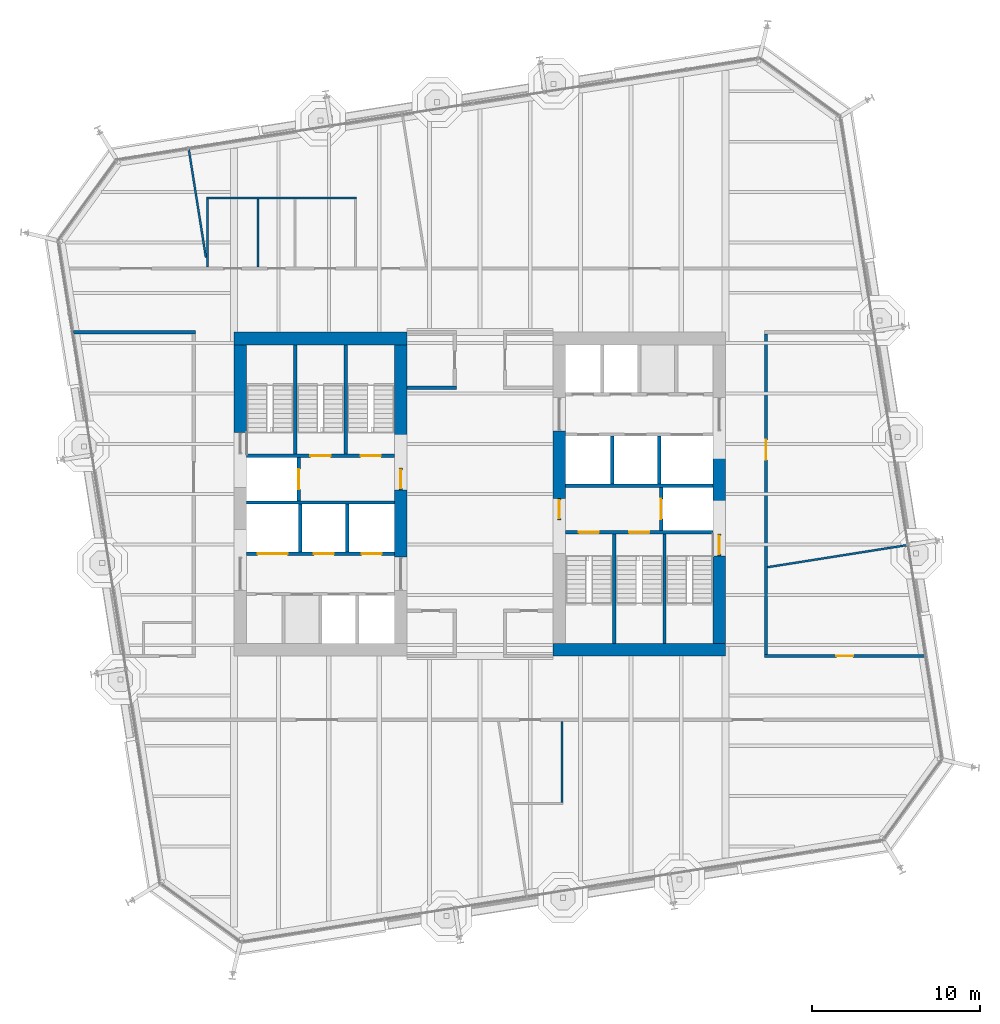
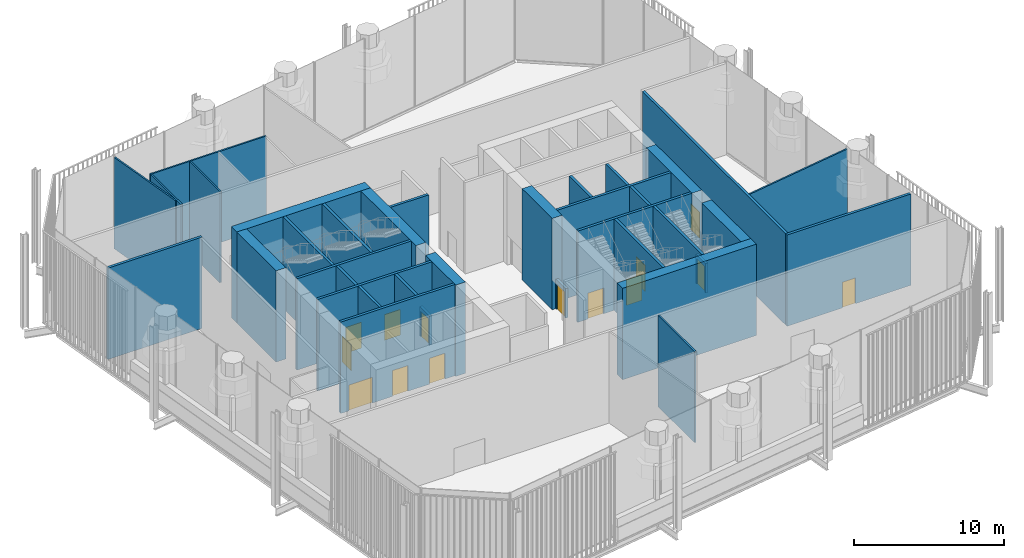
# One storey, part 12 of 19: 36 walls, 14 doors, 14 openings.
"""IFC4 building model written with IfcOpenShell, lengths in metres."""

from ifc_helpers import new_model, si_unit, direction, frame, frame_2d, origin, place, context, subcontext, project, spatial, rectangle, extrude, material, layer, layer_set, type_object, element, fill, save


model = new_model("IFC4")

# Units and contexts
model_context = context("Model", 3, precision=1e-05, world=origin(), true_north=direction((0.0, 1.0)))
body_context = subcontext(model_context, "Body", "Model", "MODEL_VIEW")
ifc_project = project(units=[si_unit("LENGTHUNIT", "METRE"), si_unit("AREAUNIT", "SQUARE_METRE"), si_unit("VOLUMEUNIT", "CUBIC_METRE"), si_unit("PLANEANGLEUNIT", "RADIAN"), si_unit("MASSUNIT", "GRAM", prefix="KILO")], contexts=[model_context])

# Site, building, storey
site_placement = place(None, origin())
site = spatial("IfcSite", under=ifc_project, at=site_placement, CompositionType="ELEMENT")
building_placement = place(site_placement, origin())
building = spatial("IfcBuilding", under=site, at=building_placement, Name="Millrace Tower", CompositionType="ELEMENT")
storey_placement = place(building_placement, frame((0.0, 0.0, 172.39990234375)))
storey = spatial("IfcBuildingStorey", under=building, at=storey_placement, Name="L39", CompositionType="ELEMENT", Elevation=172.39990234375)

# Walls
ifc_material_1 = material(Name="Concrete C70", Category="concrete")
ifc_layer_1 = layer(ifc_material_1, 0.75)
ifc_layer_set_1 = layer_set([ifc_layer_1], Name="Concrete C70")
wall_type_1 = type_object("IfcWallType", Name="Core wall 750 Concrete C70", PredefinedType="SHEAR", material=ifc_layer_set_1)
wall_1_placement = place(storey_placement, frame((-14.64990234375, 9.27490234375, 0.0), z_axis=(0.0, 0.0, 1.0), x_axis=(1.0, 0.0, 0.0)))
element("IfcWall", 1, at=wall_1_placement, inside=storey, type_object=wall_type_1, Name="Core wall W L39", PredefinedType="SHEAR", context=body_context, shape_type="SweptSolid", body=[
    extrude(rectangle(XDim=10.2998046875, YDim=0.75, at=frame_2d((5.14990234375, 0.0))), origin(), (0.0, 0.0, 1.0), 7.440185546875),
])
wall_2_placement = place(storey_placement, frame((-14.27490234375, 3.679931640625, 0.0), z_axis=(0.0, 0.0, 1.0), x_axis=(0.0, 1.0, 0.0)))
element("IfcWall", 2, at=wall_2_placement, inside=storey, type_object=wall_type_1, Name="Core wall W L39", PredefinedType="SHEAR", context=body_context, shape_type="SweptSolid", body=[
    extrude(rectangle(XDim=5.219970703125, YDim=0.75, at=frame_2d((2.60986328125, 0.0))), origin(), (0.0, 0.0, 1.0), 7.440185546875),
])
wall_3_placement = place(storey_placement, frame((-4.72509765625, -3.75, 0.0), z_axis=(0.0, 0.0, 1.0), x_axis=(0.0, 1.0, 0.0)))
element("IfcWall", 3, at=wall_3_placement, inside=storey, type_object=wall_type_1, Name="Core wall W L39", PredefinedType="SHEAR", context=body_context, shape_type="SweptSolid", body=[
    extrude(rectangle(XDim=4.0, YDim=0.75, at=frame_2d((2.0, 0.0))), origin(), (0.0, 0.0, 1.0), 7.440185546875),
])
wall_4_placement = place(storey_placement, frame((-4.72509765625, 1.550048828125, 0.0), z_axis=(0.0, 0.0, 1.0), x_axis=(0.0, 1.0, 0.0)))
element("IfcWall", 4, at=wall_4_placement, inside=storey, type_object=wall_type_1, Name="Core wall W L39", PredefinedType="SHEAR", context=body_context, shape_type="SweptSolid", body=[
    extrude(rectangle(XDim=7.349853515625, YDim=0.75, at=frame_2d((3.6748046875, 0.0))), origin(), (0.0, 0.0, 1.0), 7.440185546875),
])
wall_5_placement = place(storey_placement, frame((14.64990234375, -9.27490234375, 0.0), z_axis=(0.0, 0.0, 1.0), x_axis=(-1.0, 0.0, 0.0)))
element("IfcWall", 5, at=wall_5_placement, inside=storey, type_object=wall_type_1, Name="Core wall E L39", PredefinedType="SHEAR", context=body_context, shape_type="SweptSolid", body=[
    extrude(rectangle(XDim=10.2998046875, YDim=0.75, at=frame_2d((5.14990234375, 0.0))), origin(), (0.0, 0.0, 1.0), 7.440185546875),
])
wall_6_placement = place(storey_placement, frame((14.27490234375, 3.75, 0.0), z_axis=(0.0, 0.0, 1.0), x_axis=(0.0, -1.0, 0.0)))
element("IfcWall", 6, at=wall_6_placement, inside=storey, type_object=wall_type_1, Name="Core wall E L39", PredefinedType="SHEAR", context=body_context, shape_type="SweptSolid", body=[
    extrude(rectangle(XDim=6.1298828125, YDim=0.75, at=frame_2d((3.06494140625, 0.0))), origin(), (0.0, 0.0, 1.0), 7.440185546875),
])
wall_7_placement = place(storey_placement, frame((14.27490234375, -3.679931640625, 0.0), z_axis=(0.0, 0.0, 1.0), x_axis=(0.0, -1.0, 0.0)))
element("IfcWall", 7, at=wall_7_placement, inside=storey, type_object=wall_type_1, Name="Core wall E L39", PredefinedType="SHEAR", context=body_context, shape_type="SweptSolid", body=[
    extrude(rectangle(XDim=5.219970703125, YDim=0.75, at=frame_2d((2.60986328125, 0.0))), origin(), (0.0, 0.0, 1.0), 7.440185546875),
])
wall_8_placement = place(storey_placement, frame((4.72509765625, 3.75, 0.0), z_axis=(0.0, 0.0, 1.0), x_axis=(0.0, -1.0, 0.0)))
element("IfcWall", 8, at=wall_8_placement, inside=storey, type_object=wall_type_1, Name="Core wall E L39", PredefinedType="SHEAR", context=body_context, shape_type="SweptSolid", body=[
    extrude(rectangle(XDim=4.0, YDim=0.75, at=frame_2d((2.0, 0.0))), origin(), (0.0, 0.0, 1.0), 7.440185546875),
])

# Wall, opening, door
ifc_material_2 = material(Name="Masonry partition, fire-rated", Category="masonry")
ifc_layer_2 = layer(ifc_material_2, 0.199951171875)
ifc_layer_set_2 = layer_set([ifc_layer_2], Name="Masonry partition, fire-rated")
wall_type_2 = type_object("IfcWallType", Name="Corridor wall 200", PredefinedType="PARTITIONING", material=ifc_layer_set_2)
wall_9_placement = place(storey_placement, frame((16.949951171875, -9.64990234375, 0.0), z_axis=(0.0, 0.0, 1.0), x_axis=(1.0, 0.0, 0.0)))
wall_9 = element("IfcWall", 9, at=wall_9_placement, inside=storey, type_object=wall_type_2, Name="Corridor wall L39", PredefinedType="PARTITIONING", context=body_context, shape_type="SweptSolid", body=[
    extrude(rectangle(XDim=9.54638671875, YDim=0.199951171875, at=frame_2d((4.773193359375, 0.0))), origin(), (0.0, 0.0, 1.0), 7.440185546875),
])
opening_1_placement = place(wall_9_placement, frame((4.298095703125, 0.0, 0.0)))
opening_1 = element("IfcOpeningElement", 10, at=opening_1_placement, cuts=wall_9, Name="Opening 39-P011", PredefinedType="OPENING", context=body_context, shape_type="SweptSolid", body=[
    extrude(rectangle(XDim=1.0, YDim=2.10009765625, at=frame_2d((0.5, 1.050048828125))), frame((0.0, 0.10986328125, 0.0), z_axis=(0.0, -1.0, 0.0), x_axis=(1.0, 0.0, 0.0)), (0.0, 0.0, 1.0), 0.219970703125),
])
ifc_material_3 = material(Name="Steel door set, fire-rated", Category="steel")
door_type_1 = type_object("IfcDoorType", Name="Corridor door 1000 x 2100", OperationType="SINGLE_SWING_LEFT", PredefinedType="DOOR", material=ifc_material_3)
door_1_placement = place(opening_1_placement, origin())
door_1 = element("IfcDoor", 11, at=door_1_placement, inside=storey, type_object=door_type_1, Name="Door 39-P011", OperationType="SINGLE_SWING_LEFT", OverallHeight=2.10009765625, OverallWidth=1.0, PredefinedType="DOOR", context=body_context, shape_type="SweptSolid", body=[
    extrude(rectangle(XDim=1.0, YDim=2.10009765625, at=frame_2d((0.5, 1.050048828125))), frame((0.0, 0.02490234375, 0.0), z_axis=(0.0, -1.0, 0.0), x_axis=(1.0, 0.0, 0.0)), (0.0, 0.0, 1.0), 0.050048828125),
])
fill(opening_1, door_1)

# Walls
wall_10_placement = place(storey_placement, frame((-4.35009765625, 6.35009765625, 0.0), z_axis=(0.0, 0.0, 1.0), x_axis=(1.0, 0.0, 0.0)))
element("IfcWall", 12, at=wall_10_placement, inside=storey, type_object=wall_type_2, Name="Corridor wall L39", PredefinedType="PARTITIONING", context=body_context, shape_type="SweptSolid", body=[
    extrude(rectangle(XDim=2.9501953125, YDim=0.199951171875, at=frame_2d((1.47509765625, 0.0))), origin(), (0.0, 0.0, 1.0), 7.440185546875),
])
wall_11_placement = place(storey_placement, frame((-24.20703125, 9.64990234375, 0.0), z_axis=(0.0, 0.0, 1.0), x_axis=(1.0, 0.0, 0.0)))
element("IfcWall", 13, at=wall_11_placement, inside=storey, type_object=wall_type_2, Name="Corridor wall L39", PredefinedType="PARTITIONING", context=body_context, shape_type="SweptSolid", body=[
    extrude(rectangle(XDim=7.257080078125, YDim=0.199951171875, at=frame_2d((3.62841796875, 0.0))), origin(), (0.0, 0.0, 1.0), 7.440185546875),
])

# Wall, opening, door
wall_12_placement = place(storey_placement, frame((17.050048828125, -9.550048828125, 0.0), z_axis=(0.0, 0.0, 1.0), x_axis=(0.0, 1.0, 0.0)))
wall_12 = element("IfcWall", 14, at=wall_12_placement, inside=storey, type_object=wall_type_2, Name="Corridor wall L39", PredefinedType="PARTITIONING", context=body_context, shape_type="SweptSolid", body=[
    extrude(rectangle(XDim=19.10009765625, YDim=0.199951171875, at=frame_2d((9.550048828125, 0.0))), origin(), (0.0, 0.0, 1.0), 7.440185546875),
])
opening_2_placement = place(wall_12_placement, frame((11.590087890625, 0.0, 0.0)))
opening_2 = element("IfcOpeningElement", 15, at=opening_2_placement, cuts=wall_12, Name="Opening 39-P012", PredefinedType="OPENING", context=body_context, shape_type="SweptSolid", body=[
    extrude(rectangle(XDim=1.199951171875, YDim=2.10009765625, at=frame_2d((0.60009765625, 1.050048828125))), frame((0.0, 0.10986328125, 0.0), z_axis=(0.0, -1.0, 0.0), x_axis=(1.0, 0.0, 0.0)), (0.0, 0.0, 1.0), 0.219970703125),
])
ifc_material_4 = material(Name="Steel door set, fire-rated", Category="steel")
door_type_2 = type_object("IfcDoorType", Name="Corridor door 1200 x 2100", OperationType="SINGLE_SWING_LEFT", PredefinedType="DOOR", material=ifc_material_4)
door_2_placement = place(opening_2_placement, frame((1.199951171875, 0.0, 0.0), z_axis=(0.0, 0.0, 1.0), x_axis=(-1.0, 0.0, 0.0)))
door_2 = element("IfcDoor", 16, at=door_2_placement, inside=storey, type_object=door_type_2, Name="Door 39-P012", OperationType="SINGLE_SWING_LEFT", OverallHeight=2.10009765625, OverallWidth=1.199951171875, PredefinedType="DOOR", context=body_context, shape_type="SweptSolid", body=[
    extrude(rectangle(XDim=1.199951171875, YDim=2.10009765625, at=frame_2d((0.60009765625, 1.050048828125))), frame((0.0, 0.02490234375, 0.0), z_axis=(0.0, -1.0, 0.0), x_axis=(1.0, 0.0, 0.0)), (0.0, 0.0, 1.0), 0.050048828125),
])
fill(opening_2, door_2)

# Wall, openings, doors
ifc_material_5 = material(Name="Masonry partition, fire-rated", Category="masonry")
ifc_layer_3 = layer(ifc_material_5, 0.199951171875)
ifc_layer_set_3 = layer_set([ifc_layer_3], Name="Masonry partition, fire-rated")
wall_type_3 = type_object("IfcWallType", Name="Lift shaft wall 200", PredefinedType="PARTITIONING", material=ifc_layer_set_3)
wall_13_placement = place(storey_placement, frame((-13.89990234375, -3.550048828125, 0.0), z_axis=(0.0, 0.0, 1.0), x_axis=(1.0, 0.0, 0.0)))
wall_13 = element("IfcWall", 17, at=wall_13_placement, inside=storey, type_object=wall_type_3, Name="Lift shaft wall W L39", PredefinedType="PARTITIONING", context=body_context, shape_type="SweptSolid", body=[
    extrude(rectangle(XDim=8.7998046875, YDim=0.199951171875, at=frame_2d((4.39990234375, 0.0))), origin(), (0.0, 0.0, 1.0), 7.440185546875),
])
opening_3_placement = place(wall_13_placement, frame((0.64990234375, 0.0, 0.0)))
opening_3 = element("IfcOpeningElement", 18, at=opening_3_placement, cuts=wall_13, Name="Opening 39-LD05", PredefinedType="OPENING", context=body_context, shape_type="SweptSolid", body=[
    extrude(rectangle(XDim=1.800048828125, YDim=2.10009765625, at=frame_2d((0.89990234375, 1.050048828125))), frame((0.0, 0.10986328125, 0.0), z_axis=(0.0, -1.0, 0.0), x_axis=(1.0, 0.0, 0.0)), (0.0, 0.0, 1.0), 0.219970703125),
])
opening_4_placement = place(wall_13_placement, frame((4.0, 0.0, 0.0)))
opening_4 = element("IfcOpeningElement", 19, at=opening_4_placement, cuts=wall_13, Name="Opening 39-LD06", PredefinedType="OPENING", context=body_context, shape_type="SweptSolid", body=[
    extrude(rectangle(XDim=1.199951171875, YDim=2.10009765625, at=frame_2d((0.60009765625, 1.050048828125))), frame((0.0, 0.10986328125, 0.0), z_axis=(0.0, -1.0, 0.0), x_axis=(1.0, 0.0, 0.0)), (0.0, 0.0, 1.0), 0.219970703125),
])
opening_5_placement = place(wall_13_placement, frame((6.85009765625, 0.0, 0.0)))
opening_5 = element("IfcOpeningElement", 20, at=opening_5_placement, cuts=wall_13, Name="Opening 39-LD07", PredefinedType="OPENING", context=body_context, shape_type="SweptSolid", body=[
    extrude(rectangle(XDim=1.199951171875, YDim=2.10009765625, at=frame_2d((0.60009765625, 1.050048828125))), frame((0.0, 0.10986328125, 0.0), z_axis=(0.0, -1.0, 0.0), x_axis=(1.0, 0.0, 0.0)), (0.0, 0.0, 1.0), 0.219970703125),
])
ifc_material_6 = material(Name="Stainless steel, fire-rated", Category="steel")
door_type_3 = type_object("IfcDoorType", Name="Lift landing door 1200 x 2100", OperationType="DOUBLE_DOOR_SLIDING", PredefinedType="DOOR", material=ifc_material_6)
door_3_placement = place(opening_4_placement, origin())
door_3 = element("IfcDoor", 21, at=door_3_placement, inside=storey, type_object=door_type_3, Name="Lift landing door LF6 L39", OperationType="DOUBLE_DOOR_SLIDING", OverallHeight=2.10009765625, OverallWidth=1.199951171875, PredefinedType="DOOR", context=body_context, shape_type="SweptSolid", body=[
    extrude(rectangle(XDim=1.199951171875, YDim=2.10009765625, at=frame_2d((0.60009765625, 1.050048828125))), frame((0.0, 0.02490234375, 0.0), z_axis=(0.0, -1.0, 0.0), x_axis=(1.0, 0.0, 0.0)), (0.0, 0.0, 1.0), 0.050048828125),
])
fill(opening_4, door_3)
door_4_placement = place(opening_5_placement, origin())
door_4 = element("IfcDoor", 22, at=door_4_placement, inside=storey, type_object=door_type_3, Name="Lift landing door LF7 L39", OperationType="DOUBLE_DOOR_SLIDING", OverallHeight=2.10009765625, OverallWidth=1.199951171875, PredefinedType="DOOR", context=body_context, shape_type="SweptSolid", body=[
    extrude(rectangle(XDim=1.199951171875, YDim=2.10009765625, at=frame_2d((0.60009765625, 1.050048828125))), frame((0.0, 0.02490234375, 0.0), z_axis=(0.0, -1.0, 0.0), x_axis=(1.0, 0.0, 0.0)), (0.0, 0.0, 1.0), 0.050048828125),
])
fill(opening_5, door_4)
ifc_material_7 = material(Name="Stainless steel, fire-rated", Category="steel")
door_type_4 = type_object("IfcDoorType", Name="Lift landing door 1800 x 2100", OperationType="DOUBLE_DOOR_SLIDING", PredefinedType="DOOR", material=ifc_material_7)
door_5_placement = place(opening_3_placement, origin())
door_5 = element("IfcDoor", 23, at=door_5_placement, inside=storey, type_object=door_type_4, Name="Lift landing door LF5 L39", OperationType="DOUBLE_DOOR_SLIDING", OverallHeight=2.10009765625, OverallWidth=1.800048828125, PredefinedType="DOOR", context=body_context, shape_type="SweptSolid", body=[
    extrude(rectangle(XDim=1.800048828125, YDim=2.10009765625, at=frame_2d((0.89990234375, 1.050048828125))), frame((0.0, 0.02490234375, 0.0), z_axis=(0.0, -1.0, 0.0), x_axis=(1.0, 0.0, 0.0)), (0.0, 0.0, 1.0), 0.050048828125),
])
fill(opening_3, door_5)

# Wall
wall_14_placement = place(storey_placement, frame((-13.89990234375, -0.5, 0.0), z_axis=(0.0, 0.0, 1.0), x_axis=(1.0, 0.0, 0.0)))
element("IfcWall", 24, at=wall_14_placement, inside=storey, type_object=wall_type_3, Name="Lift shaft wall W L39", PredefinedType="PARTITIONING", context=body_context, shape_type="SweptSolid", body=[
    extrude(rectangle(XDim=8.7998046875, YDim=0.199951171875, at=frame_2d((4.39990234375, 0.0))), origin(), (0.0, 0.0, 1.0), 7.440185546875),
])

# Wall, opening, door
wall_15_placement = place(storey_placement, frame((-10.800048828125, -0.39990234375, 0.0), z_axis=(0.0, 0.0, 1.0), x_axis=(0.0, 1.0, 0.0)))
wall_15 = element("IfcWall", 25, at=wall_15_placement, inside=storey, type_object=wall_type_3, Name="Lift shaft wall W L39", PredefinedType="PARTITIONING", context=body_context, shape_type="SweptSolid", body=[
    extrude(rectangle(XDim=2.579833984375, YDim=0.199951171875, at=frame_2d((1.2900390625, 0.0))), origin(), (0.0, 0.0, 1.0), 7.440185546875),
])
opening_6_placement = place(wall_15_placement, frame((0.68994140625, 0.0, 0.0)))
opening_6 = element("IfcOpeningElement", 26, at=opening_6_placement, cuts=wall_15, Name="Opening 39-LD08", PredefinedType="OPENING", context=body_context, shape_type="SweptSolid", body=[
    extrude(rectangle(XDim=1.199951171875, YDim=2.10009765625, at=frame_2d((0.60009765625, 1.050048828125))), frame((0.0, 0.10986328125, 0.0), z_axis=(0.0, -1.0, 0.0), x_axis=(1.0, 0.0, 0.0)), (0.0, 0.0, 1.0), 0.219970703125),
])
door_6_placement = place(opening_6_placement, origin())
door_6 = element("IfcDoor", 27, at=door_6_placement, inside=storey, type_object=door_type_3, Name="Lift landing door LF8 L39", OperationType="DOUBLE_DOOR_SLIDING", OverallHeight=2.10009765625, OverallWidth=1.199951171875, PredefinedType="DOOR", context=body_context, shape_type="SweptSolid", body=[
    extrude(rectangle(XDim=1.199951171875, YDim=2.10009765625, at=frame_2d((0.60009765625, 1.050048828125))), frame((0.0, 0.02490234375, 0.0), z_axis=(0.0, -1.0, 0.0), x_axis=(1.0, 0.0, 0.0)), (0.0, 0.0, 1.0), 0.050048828125),
])
fill(opening_6, door_6)

# Walls
for number, where, z_axis, x_axis, name in (
    (28, (-10.699951171875, -3.449951171875, 0.0), (0.0, 0.0, 1.0), (0.0, 1.0, 0.0), "Lift shaft wall W L39"),
    (29, (-7.89990234375, -3.449951171875, 0.0), (0.0, 0.0, 1.0), (0.0, 1.0, 0.0), "Lift shaft wall W L39"),
):
    element("IfcWall", number, at=place(storey_placement, frame(where, z_axis=z_axis, x_axis=x_axis)), inside=storey, type_object=wall_type_3, Name=name, PredefinedType="PARTITIONING", context=body_context, shape_type="SweptSolid", body=[
        extrude(rectangle(XDim=2.849853515625, YDim=0.199951171875, at=frame_2d((1.4248046875, 0.0))), origin(), (0.0, 0.0, 1.0), 7.440185546875),
    ])
wall_16_placement = place(storey_placement, frame((13.89990234375, 0.5, 0.0), z_axis=(0.0, 0.0, 1.0), x_axis=(-1.0, 0.0, 0.0)))
element("IfcWall", 30, at=wall_16_placement, inside=storey, type_object=wall_type_3, Name="Lift shaft wall E L39", PredefinedType="PARTITIONING", context=body_context, shape_type="SweptSolid", body=[
    extrude(rectangle(XDim=8.7998046875, YDim=0.199951171875, at=frame_2d((4.39990234375, 0.0))), origin(), (0.0, 0.0, 1.0), 7.440185546875),
])

# Wall, opening, door
wall_17_placement = place(storey_placement, frame((10.800048828125, 0.39990234375, 0.0), z_axis=(0.0, 0.0, 1.0), x_axis=(0.0, -1.0, 0.0)))
wall_17 = element("IfcWall", 31, at=wall_17_placement, inside=storey, type_object=wall_type_3, Name="Lift shaft wall E L39", PredefinedType="PARTITIONING", context=body_context, shape_type="SweptSolid", body=[
    extrude(rectangle(XDim=2.579833984375, YDim=0.199951171875, at=frame_2d((1.2900390625, 0.0))), origin(), (0.0, 0.0, 1.0), 7.440185546875),
])
opening_7_placement = place(wall_17_placement, frame((0.68994140625, 0.0, 0.0)))
opening_7 = element("IfcOpeningElement", 32, at=opening_7_placement, cuts=wall_17, Name="Opening 39-LD16", PredefinedType="OPENING", context=body_context, shape_type="SweptSolid", body=[
    extrude(rectangle(XDim=1.199951171875, YDim=2.10009765625, at=frame_2d((0.60009765625, 1.050048828125))), frame((0.0, 0.10986328125, 0.0), z_axis=(0.0, -1.0, 0.0), x_axis=(1.0, 0.0, 0.0)), (0.0, 0.0, 1.0), 0.219970703125),
])
door_7_placement = place(opening_7_placement, origin())
door_7 = element("IfcDoor", 33, at=door_7_placement, inside=storey, type_object=door_type_3, Name="Lift landing door LF16 L39", OperationType="DOUBLE_DOOR_SLIDING", OverallHeight=2.10009765625, OverallWidth=1.199951171875, PredefinedType="DOOR", context=body_context, shape_type="SweptSolid", body=[
    extrude(rectangle(XDim=1.199951171875, YDim=2.10009765625, at=frame_2d((0.60009765625, 1.050048828125))), frame((0.0, 0.02490234375, 0.0), z_axis=(0.0, -1.0, 0.0), x_axis=(1.0, 0.0, 0.0)), (0.0, 0.0, 1.0), 0.050048828125),
])
fill(opening_7, door_7)

# Walls
for number, where, z_axis, x_axis, name in (
    (34, (10.699951171875, 3.449951171875, 0.0), (0.0, 0.0, 1.0), (0.0, -1.0, 0.0), "Lift shaft wall E L39"),
    (35, (7.89990234375, 3.449951171875, 0.0), (0.0, 0.0, 1.0), (0.0, -1.0, 0.0), "Lift shaft wall E L39"),
):
    element("IfcWall", number, at=place(storey_placement, frame(where, z_axis=z_axis, x_axis=x_axis)), inside=storey, type_object=wall_type_3, Name=name, PredefinedType="PARTITIONING", context=body_context, shape_type="SweptSolid", body=[
        extrude(rectangle(XDim=2.849853515625, YDim=0.199951171875, at=frame_2d((1.4248046875, 0.0))), origin(), (0.0, 0.0, 1.0), 7.440185546875),
    ])

# Wall, opening, door
ifc_material_8 = material(Name="Masonry partition, fire-rated", Category="masonry")
ifc_layer_4 = layer(ifc_material_8, 0.199951171875)
ifc_layer_set_4 = layer_set([ifc_layer_4], Name="Masonry partition, fire-rated")
wall_type_4 = type_object("IfcWallType", Name="Lobby wall 200", PredefinedType="PARTITIONING", material=ifc_layer_set_4)
wall_18_placement = place(storey_placement, frame((-4.72509765625, 0.25, 0.0), z_axis=(0.0, 0.0, 1.0), x_axis=(0.0, 1.0, 0.0)))
wall_18 = element("IfcWall", 36, at=wall_18_placement, inside=storey, type_object=wall_type_4, Name="Lobby wall W L39", PredefinedType="PARTITIONING", context=body_context, shape_type="SweptSolid", body=[
    extrude(rectangle(XDim=1.300048828125, YDim=0.199951171875, at=frame_2d((0.64990234375, 0.0))), origin(), (0.0, 0.0, 1.0), 2.400146484375),
])
opening_8_placement = place(wall_18_placement, frame((0.10009765625, 0.0, 0.0)))
opening_8 = element("IfcOpeningElement", 37, at=opening_8_placement, cuts=wall_18, Name="Opening 39-C004", PredefinedType="OPENING", context=body_context, shape_type="SweptSolid", body=[
    extrude(rectangle(XDim=1.10009765625, YDim=2.10009765625, at=frame_2d((0.550048828125, 1.050048828125))), frame((0.0, 0.10986328125, 0.0), z_axis=(0.0, -1.0, 0.0), x_axis=(1.0, 0.0, 0.0)), (0.0, 0.0, 1.0), 0.219970703125),
])
ifc_material_9 = material(Name="Steel door, fire-rated", Category="steel")
door_type_5 = type_object("IfcDoorType", Name="Lobby door 1100 x 2100", OperationType="SINGLE_SWING_LEFT", PredefinedType="DOOR", material=ifc_material_9)
door_8_placement = place(opening_8_placement, origin())
door_8 = element("IfcDoor", 38, at=door_8_placement, inside=storey, type_object=door_type_5, Name="Lobby door 39-C004", OperationType="SINGLE_SWING_RIGHT", OverallHeight=2.10009765625, OverallWidth=1.10009765625, PredefinedType="DOOR", context=body_context, shape_type="SweptSolid", body=[
    extrude(rectangle(XDim=1.10009765625, YDim=2.10009765625, at=frame_2d((0.550048828125, 1.050048828125))), frame((0.0, 0.02490234375, 0.0), z_axis=(0.0, -1.0, 0.0), x_axis=(1.0, 0.0, 0.0)), (0.0, 0.0, 1.0), 0.050048828125),
])
fill(opening_8, door_8)

wall_19_placement = place(storey_placement, frame((4.72509765625, -0.25, 0.0), z_axis=(0.0, 0.0, 1.0), x_axis=(0.0, -1.0, 0.0)))
wall_19 = element("IfcWall", 39, at=wall_19_placement, inside=storey, type_object=wall_type_4, Name="Lobby wall E L39", PredefinedType="PARTITIONING", context=body_context, shape_type="SweptSolid", body=[
    extrude(rectangle(XDim=1.300048828125, YDim=0.199951171875, at=frame_2d((0.64990234375, 0.0))), origin(), (0.0, 0.0, 1.0), 2.400146484375),
])
opening_9_placement = place(wall_19_placement, frame((0.10009765625, 0.0, 0.0)))
opening_9 = element("IfcOpeningElement", 40, at=opening_9_placement, cuts=wall_19, Name="Opening 39-C011", PredefinedType="OPENING", context=body_context, shape_type="SweptSolid", body=[
    extrude(rectangle(XDim=1.10009765625, YDim=2.10009765625, at=frame_2d((0.550048828125, 1.050048828125))), frame((0.0, 0.10986328125, 0.0), z_axis=(0.0, -1.0, 0.0), x_axis=(1.0, 0.0, 0.0)), (0.0, 0.0, 1.0), 0.219970703125),
])
door_9_placement = place(opening_9_placement, origin())
door_9 = element("IfcDoor", 41, at=door_9_placement, inside=storey, type_object=door_type_5, Name="Lobby door 39-C011", OperationType="SINGLE_SWING_LEFT", OverallHeight=2.10009765625, OverallWidth=1.10009765625, PredefinedType="DOOR", context=body_context, shape_type="SweptSolid", body=[
    extrude(rectangle(XDim=1.10009765625, YDim=2.10009765625, at=frame_2d((0.550048828125, 1.050048828125))), frame((0.0, 0.02490234375, 0.0), z_axis=(0.0, -1.0, 0.0), x_axis=(1.0, 0.0, 0.0)), (0.0, 0.0, 1.0), 0.050048828125),
])
fill(opening_9, door_9)

# Walls
ifc_material_10 = material(Name="Gypsum board partition")
ifc_layer_5 = layer(ifc_material_10, 0.1201171875)
ifc_layer_set_5 = layer_set([ifc_layer_5], Name="Gypsum board partition")
wall_type_5 = type_object("IfcWallType", Name="Partition wall 120", PredefinedType="PARTITIONING", material=ifc_layer_set_5)
wall_20_placement = place(storey_placement, frame((-17.345703125, 20.535888671875, 0.0), z_axis=(0.0, 0.0, 1.0), x_axis=(0.156503851175, -0.987677348413, 0.0)))
element("IfcWall", 42, at=wall_20_placement, inside=storey, type_object=wall_type_5, Name="Partition wall L39", PredefinedType="PARTITIONING", context=body_context, shape_type="SweptSolid", body=[
    extrude(rectangle(XDim=6.508056640625, YDim=0.1201171875, at=frame_2d((3.25390625, 0.0))), origin(), (0.0, 0.0, 1.0), 7.440185546875),
])
wall_21_placement = place(storey_placement, frame((-16.282958984375, 17.64990234375, 0.0), z_axis=(0.0, 0.0, 1.0), x_axis=(1.0, 0.0, 0.0)))
element("IfcWall", 43, at=wall_21_placement, inside=storey, type_object=wall_type_5, Name="Partition wall L39", PredefinedType="PARTITIONING", context=body_context, shape_type="SweptSolid", body=[
    extrude(rectangle(XDim=8.919921875, YDim=0.1201171875, at=frame_2d((4.4599609375, 0.0))), origin(), (0.0, 0.0, 1.0), 7.440185546875),
])
wall_22_placement = place(storey_placement, frame((17.148681640625, -4.354248046875, 0.0), z_axis=(0.0, 0.0, 1.0), x_axis=(0.987702120758, 0.156347435703, 0.0)))
element("IfcWall", 44, at=wall_22_placement, inside=storey, type_object=wall_type_5, Name="Partition wall L39", PredefinedType="PARTITIONING", context=body_context, shape_type="SweptSolid", body=[
    extrude(rectangle(XDim=8.404052734375, YDim=0.1201171875, at=frame_2d((4.2021484375, 0.0))), origin(), (0.0, 0.0, 1.0), 7.440185546875),
])
wall_23_placement = place(storey_placement, frame((4.89794921875, -18.389892578125, 0.0), z_axis=(0.0, 0.0, 1.0), x_axis=(0.0, 1.0, 0.0)))
element("IfcWall", 45, at=wall_23_placement, inside=storey, type_object=wall_type_5, Name="Partition wall L39", PredefinedType="PARTITIONING", context=body_context, shape_type="SweptSolid", body=[
    extrude(rectangle(XDim=4.83984375, YDim=0.1201171875, at=frame_2d((2.419921875, 0.0))), origin(), (0.0, 0.0, 1.0), 7.440185546875),
])
for number, where, z_axis, x_axis, name in (
    (46, (-13.222900390625, 13.550048828125, 0.0), (0.0, 0.0, 1.0), (0.0, 1.0, 0.0), "Partition wall L39"),
    (47, (-16.222900390625, 13.550048828125, 0.0), (0.0, 0.0, 1.0), (0.0, 1.0, 0.0), "Partition wall L39"),
):
    element("IfcWall", number, at=place(storey_placement, frame(where, z_axis=z_axis, x_axis=x_axis)), inside=storey, type_object=wall_type_5, Name=name, PredefinedType="PARTITIONING", context=body_context, shape_type="SweptSolid", body=[
        extrude(rectangle(XDim=4.0400390625, YDim=0.1201171875, at=frame_2d((2.02001953125, 0.0))), origin(), (0.0, 0.0, 1.0), 7.440185546875),
    ])

# Wall, openings, doors
ifc_material_11 = material(Name="Concrete C40", Category="concrete")
ifc_layer_6 = layer(ifc_material_11, 0.199951171875)
ifc_layer_set_6 = layer_set([ifc_layer_6], Name="Concrete C40")
wall_type_6 = type_object("IfcWallType", Name="Stair enclosure wall 200 Concrete C40", PredefinedType="SHEAR", material=ifc_layer_set_6)
wall_24_placement = place(storey_placement, frame((-13.89990234375, 2.280029296875, 0.0), z_axis=(0.0, 0.0, 1.0), x_axis=(1.0, 0.0, 0.0)))
wall_24 = element("IfcWall", 48, at=wall_24_placement, inside=storey, type_object=wall_type_6, Name="Stair enclosure wall W L39", PredefinedType="SHEAR", context=body_context, shape_type="SweptSolid", body=[
    extrude(rectangle(XDim=8.7998046875, YDim=0.199951171875, at=frame_2d((4.39990234375, 0.0))), origin(), (0.0, 0.0, 1.0), 7.440185546875),
])
opening_10_placement = place(wall_24_placement, frame((3.800048828125, 0.0, 0.0)))
opening_10 = element("IfcOpeningElement", 49, at=opening_10_placement, cuts=wall_24, Name="Opening 39-C006", PredefinedType="OPENING", context=body_context, shape_type="SweptSolid", body=[
    extrude(rectangle(XDim=1.199951171875, YDim=2.10009765625, at=frame_2d((0.60009765625, 1.050048828125))), frame((0.0, 0.10986328125, 0.0), z_axis=(0.0, -1.0, 0.0), x_axis=(1.0, 0.0, 0.0)), (0.0, 0.0, 1.0), 0.219970703125),
])
opening_11_placement = place(wall_24_placement, frame((6.800048828125, 0.0, 0.0)))
opening_11 = element("IfcOpeningElement", 50, at=opening_11_placement, cuts=wall_24, Name="Opening 39-C007", PredefinedType="OPENING", context=body_context, shape_type="SweptSolid", body=[
    extrude(rectangle(XDim=1.199951171875, YDim=2.10009765625, at=frame_2d((0.60009765625, 1.050048828125))), frame((0.0, 0.10986328125, 0.0), z_axis=(0.0, -1.0, 0.0), x_axis=(1.0, 0.0, 0.0)), (0.0, 0.0, 1.0), 0.219970703125),
])
ifc_material_12 = material(Name="Steel door, fire-rated", Category="steel")
door_type_6 = type_object("IfcDoorType", Name="Stair door 1200 x 2100", OperationType="SINGLE_SWING_LEFT", PredefinedType="DOOR", material=ifc_material_12)
door_10_placement = place(opening_10_placement, frame((1.199951171875, 0.0, 0.0), z_axis=(0.0, 0.0, 1.0), x_axis=(-1.0, 0.0, 0.0)))
door_10 = element("IfcDoor", 51, at=door_10_placement, inside=storey, type_object=door_type_6, Name="Stair door 39-C006", OperationType="SINGLE_SWING_RIGHT", OverallHeight=2.10009765625, OverallWidth=1.199951171875, PredefinedType="DOOR", context=body_context, shape_type="SweptSolid", body=[
    extrude(rectangle(XDim=1.199951171875, YDim=2.10009765625, at=frame_2d((0.60009765625, 1.050048828125))), frame((0.0, 0.02490234375, 0.0), z_axis=(0.0, -1.0, 0.0), x_axis=(1.0, 0.0, 0.0)), (0.0, 0.0, 1.0), 0.050048828125),
])
fill(opening_10, door_10)
door_11_placement = place(opening_11_placement, frame((1.199951171875, 0.0, 0.0), z_axis=(0.0, 0.0, 1.0), x_axis=(-1.0, 0.0, 0.0)))
door_11 = element("IfcDoor", 52, at=door_11_placement, inside=storey, type_object=door_type_6, Name="Stair door 39-C007", OperationType="SINGLE_SWING_LEFT", OverallHeight=2.10009765625, OverallWidth=1.199951171875, PredefinedType="DOOR", context=body_context, shape_type="SweptSolid", body=[
    extrude(rectangle(XDim=1.199951171875, YDim=2.10009765625, at=frame_2d((0.60009765625, 1.050048828125))), frame((0.0, 0.02490234375, 0.0), z_axis=(0.0, -1.0, 0.0), x_axis=(1.0, 0.0, 0.0)), (0.0, 0.0, 1.0), 0.050048828125),
])
fill(opening_11, door_11)

# Walls
for number, where, z_axis, x_axis, name in (
    (53, (-11.0, 2.3798828125, 0.0), (0.0, 0.0, 1.0), (0.0, 1.0, 0.0), "Stair enclosure wall W L39"),
    (54, (-8.0, 2.3798828125, 0.0), (0.0, 0.0, 1.0), (0.0, 1.0, 0.0), "Stair enclosure wall W L39"),
):
    element("IfcWall", number, at=place(storey_placement, frame(where, z_axis=z_axis, x_axis=x_axis)), inside=storey, type_object=wall_type_6, Name=name, PredefinedType="SHEAR", context=body_context, shape_type="SweptSolid", body=[
        extrude(rectangle(XDim=6.52001953125, YDim=0.199951171875, at=frame_2d((3.260009765625, 0.0))), origin(), (0.0, 0.0, 1.0), 7.440185546875),
    ])

# Wall, opening, door
wall_25_placement = place(storey_placement, frame((14.27490234375, -2.3798828125, 0.0), z_axis=(0.0, 0.0, 1.0), x_axis=(0.0, -1.0, 0.0)))
wall_25 = element("IfcWall", 55, at=wall_25_placement, inside=storey, type_object=wall_type_6, Name="Stair enclosure wall E L39", PredefinedType="SHEAR", context=body_context, shape_type="SweptSolid", body=[
    extrude(rectangle(XDim=1.300048828125, YDim=0.199951171875, at=frame_2d((0.64990234375, 0.0))), origin(), (0.0, 0.0, 1.0), 2.400146484375),
])
opening_12_placement = place(wall_25_placement, frame((0.10009765625, 0.0, 0.0)))
opening_12 = element("IfcOpeningElement", 56, at=opening_12_placement, cuts=wall_25, Name="Opening 39-C009", PredefinedType="OPENING", context=body_context, shape_type="SweptSolid", body=[
    extrude(rectangle(XDim=1.10009765625, YDim=2.10009765625, at=frame_2d((0.550048828125, 1.050048828125))), frame((0.0, 0.10986328125, 0.0), z_axis=(0.0, -1.0, 0.0), x_axis=(1.0, 0.0, 0.0)), (0.0, 0.0, 1.0), 0.219970703125),
])
ifc_material_13 = material(Name="Steel door, fire-rated", Category="steel")
door_type_7 = type_object("IfcDoorType", Name="Stair door 1100 x 2100", OperationType="SINGLE_SWING_LEFT", PredefinedType="DOOR", material=ifc_material_13)
door_12_placement = place(opening_12_placement, origin())
door_12 = element("IfcDoor", 57, at=door_12_placement, inside=storey, type_object=door_type_7, Name="Stair door 39-C009", OperationType="SINGLE_SWING_LEFT", OverallHeight=2.10009765625, OverallWidth=1.10009765625, PredefinedType="DOOR", context=body_context, shape_type="SweptSolid", body=[
    extrude(rectangle(XDim=1.10009765625, YDim=2.10009765625, at=frame_2d((0.550048828125, 1.050048828125))), frame((0.0, 0.02490234375, 0.0), z_axis=(0.0, -1.0, 0.0), x_axis=(1.0, 0.0, 0.0)), (0.0, 0.0, 1.0), 0.050048828125),
])
fill(opening_12, door_12)

# Wall, openings, doors
wall_26_placement = place(storey_placement, frame((13.89990234375, -2.280029296875, 0.0), z_axis=(0.0, 0.0, 1.0), x_axis=(-1.0, 0.0, 0.0)))
wall_26 = element("IfcWall", 58, at=wall_26_placement, inside=storey, type_object=wall_type_6, Name="Stair enclosure wall E L39", PredefinedType="SHEAR", context=body_context, shape_type="SweptSolid", body=[
    extrude(rectangle(XDim=8.7998046875, YDim=0.199951171875, at=frame_2d((4.39990234375, 0.0))), origin(), (0.0, 0.0, 1.0), 7.440185546875),
])
opening_13_placement = place(wall_26_placement, frame((3.800048828125, 0.0, 0.0)))
opening_13 = element("IfcOpeningElement", 59, at=opening_13_placement, cuts=wall_26, Name="Opening 39-C013", PredefinedType="OPENING", context=body_context, shape_type="SweptSolid", body=[
    extrude(rectangle(XDim=1.199951171875, YDim=2.10009765625, at=frame_2d((0.60009765625, 1.050048828125))), frame((0.0, 0.10986328125, 0.0), z_axis=(0.0, -1.0, 0.0), x_axis=(1.0, 0.0, 0.0)), (0.0, 0.0, 1.0), 0.219970703125),
])
opening_14_placement = place(wall_26_placement, frame((6.800048828125, 0.0, 0.0)))
opening_14 = element("IfcOpeningElement", 60, at=opening_14_placement, cuts=wall_26, Name="Opening 39-C014", PredefinedType="OPENING", context=body_context, shape_type="SweptSolid", body=[
    extrude(rectangle(XDim=1.199951171875, YDim=2.10009765625, at=frame_2d((0.60009765625, 1.050048828125))), frame((0.0, 0.10986328125, 0.0), z_axis=(0.0, -1.0, 0.0), x_axis=(1.0, 0.0, 0.0)), (0.0, 0.0, 1.0), 0.219970703125),
])
door_13_placement = place(opening_13_placement, frame((1.199951171875, 0.0, 0.0), z_axis=(0.0, 0.0, 1.0), x_axis=(-1.0, 0.0, 0.0)))
door_13 = element("IfcDoor", 61, at=door_13_placement, inside=storey, type_object=door_type_6, Name="Stair door 39-C013", OperationType="SINGLE_SWING_RIGHT", OverallHeight=2.10009765625, OverallWidth=1.199951171875, PredefinedType="DOOR", context=body_context, shape_type="SweptSolid", body=[
    extrude(rectangle(XDim=1.199951171875, YDim=2.10009765625, at=frame_2d((0.60009765625, 1.050048828125))), frame((0.0, 0.02490234375, 0.0), z_axis=(0.0, -1.0, 0.0), x_axis=(1.0, 0.0, 0.0)), (0.0, 0.0, 1.0), 0.050048828125),
])
fill(opening_13, door_13)
door_14_placement = place(opening_14_placement, frame((1.199951171875, 0.0, 0.0), z_axis=(0.0, 0.0, 1.0), x_axis=(-1.0, 0.0, 0.0)))
door_14 = element("IfcDoor", 62, at=door_14_placement, inside=storey, type_object=door_type_6, Name="Stair door 39-C014", OperationType="SINGLE_SWING_LEFT", OverallHeight=2.10009765625, OverallWidth=1.199951171875, PredefinedType="DOOR", context=body_context, shape_type="SweptSolid", body=[
    extrude(rectangle(XDim=1.199951171875, YDim=2.10009765625, at=frame_2d((0.60009765625, 1.050048828125))), frame((0.0, 0.02490234375, 0.0), z_axis=(0.0, -1.0, 0.0), x_axis=(1.0, 0.0, 0.0)), (0.0, 0.0, 1.0), 0.050048828125),
])
fill(opening_14, door_14)

# Walls
for number, where, z_axis, x_axis, name in (
    (63, (11.0, -2.3798828125, 0.0), (0.0, 0.0, 1.0), (0.0, -1.0, 0.0), "Stair enclosure wall E L39"),
    (64, (8.0, -2.3798828125, 0.0), (0.0, 0.0, 1.0), (0.0, -1.0, 0.0), "Stair enclosure wall E L39"),
):
    element("IfcWall", number, at=place(storey_placement, frame(where, z_axis=z_axis, x_axis=x_axis)), inside=storey, type_object=wall_type_6, Name=name, PredefinedType="SHEAR", context=body_context, shape_type="SweptSolid", body=[
        extrude(rectangle(XDim=6.52001953125, YDim=0.199951171875, at=frame_2d((3.260009765625, 0.0))), origin(), (0.0, 0.0, 1.0), 7.440185546875),
    ])

save(model, "model.ifc")
